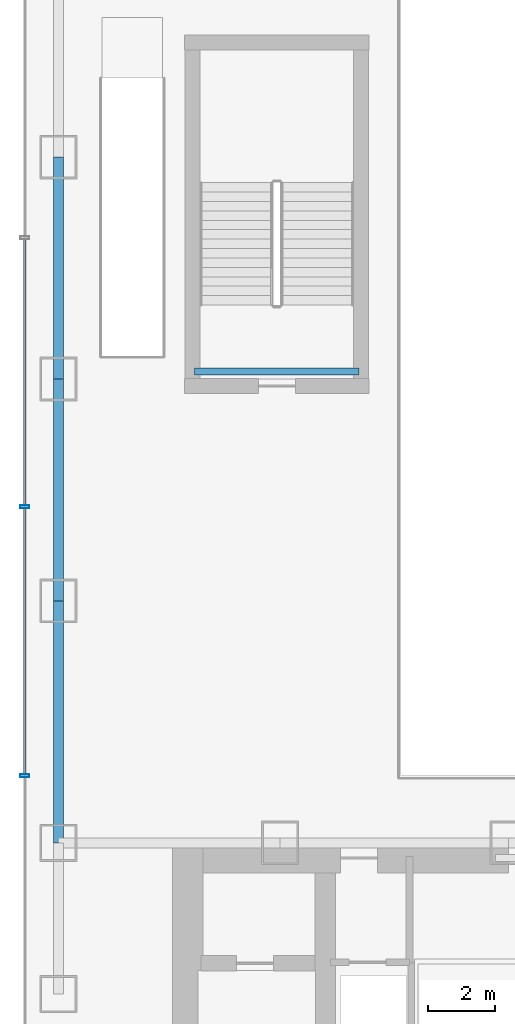
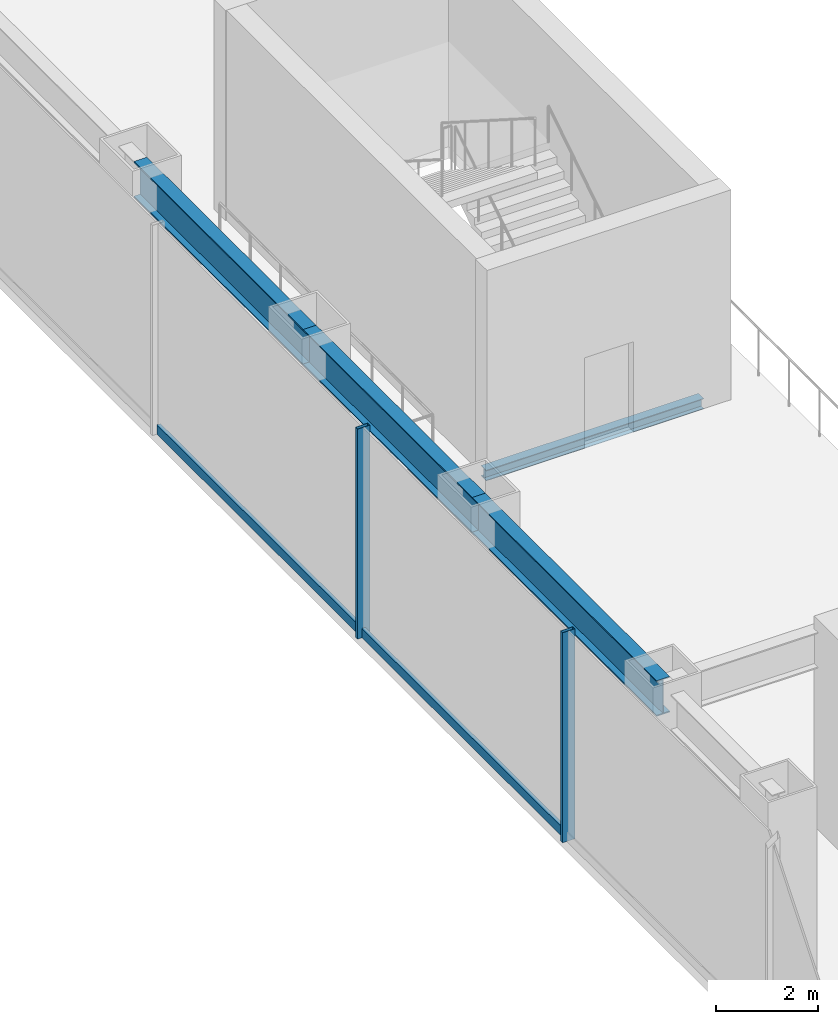
# One storey, part 8 of 39: 4 beams, 4 members, 1 element without a shape of its own.
"""IFC4 building model written with IfcOpenShell, lengths in metres."""

from ifc_helpers import new_model, si_unit, derived_unit, direction, frame, origin, origin_2d, place, context, subcontext, project, spatial, hollow_rectangle, i_section, extrude, source, transform, mapped, material, material_profile, profile_set, type_object, element, aggregate, save


model = new_model("IFC4")

# Units and contexts
model_context = context("Model", 3, precision=1e-05, world=origin(), true_north=direction((0.0, 1.0)))
body_context = subcontext(model_context, "Body", "Model", "MODEL_VIEW")
ifc_project = project(units=[si_unit("LENGTHUNIT", "METRE"), si_unit("AREAUNIT", "SQUARE_METRE"), si_unit("VOLUMEUNIT", "CUBIC_METRE"), si_unit("PLANEANGLEUNIT", "RADIAN"), si_unit("MASSUNIT", "GRAM", prefix="KILO"), derived_unit("THERMALTRANSMITTANCEUNIT", [(si_unit("POWERUNIT", "WATT"), 1), (si_unit("LENGTHUNIT", "METRE"), -2), (si_unit("THERMODYNAMICTEMPERATUREUNIT", "KELVIN"), -1)])], contexts=[model_context])

# Site, building, storey
site_placement = place(None, origin())
site = spatial("IfcSite", under=ifc_project, at=site_placement, CompositionType="ELEMENT")
building_placement = place(site_placement, origin())
building = spatial("IfcBuilding", under=site, at=building_placement, Name="Skarnbrae Concourse Arena and Tower", CompositionType="ELEMENT")
storey_placement = place(building_placement, frame((0.0, 0.0, 11.0)))
storey = spatial("IfcBuildingStorey", under=building, at=storey_placement, Name="L02", CompositionType="ELEMENT", Elevation=11.0)

# Beams
ifc_material_1 = material(Name="Steel CSA G40.21 350W", Category="steel")
ifc_material_profile_1 = material_profile(ifc_material_1, i_section(OverallWidth=0.2939453125, OverallDepth=0.85107421875, WebThickness=0.01611328125, FlangeThickness=0.02685546875, at=origin_2d()), Name="W840X226")
ifc_profile_set_1 = profile_set([ifc_material_profile_1], Name="Steel CSA G40.21 350W")
beam_type_1 = type_object("IfcBeamType", Name="BM-GIRD-W840X226", PredefinedType="BEAM", material=ifc_profile_set_1)
shared_shape_1 = source(origin(), body_context, "Body", "SweptSolid", [
    extrude(i_section(OverallWidth=0.2939453125, OverallDepth=0.85107421875, WebThickness=0.01611328125, FlangeThickness=0.02685546875, at=origin_2d()), origin(), (0.0, 0.0, 1.0), 6.60009765625),
])
beam_1_placement = place(storey_placement, frame((1.0, 21.199951171875, 4.2744140625), z_axis=(0.0, 1.0, 0.0), x_axis=(-1.0, 0.0, 0.0)))
element("IfcBeam", 1, at=beam_1_placement, inside=storey, type_object=beam_type_1, Name="L02 Podium west girder 3", PredefinedType="BEAM", context=body_context, shape_type="MappedRepresentation", body=[
    mapped(shared_shape_1, transform((0.0, 0.0, 0.0))),
])
shared_shape_2 = source(origin(), body_context, "Body", "SweptSolid", [
    extrude(i_section(OverallWidth=0.2939453125, OverallDepth=0.85107421875, WebThickness=0.01611328125, FlangeThickness=0.02685546875, at=origin_2d()), origin(), (0.0, 0.0, 1.0), 7.199951171875),
])
beam_2_placement = place(storey_placement, frame((1.0, 14.0, 4.2744140625), z_axis=(0.0, 1.0, 0.0), x_axis=(-1.0, 0.0, 0.0)))
element("IfcBeam", 2, at=beam_2_placement, inside=storey, type_object=beam_type_1, Name="L02 Podium west girder 2", PredefinedType="BEAM", context=body_context, shape_type="MappedRepresentation", body=[
    mapped(shared_shape_2, transform((0.0, 0.0, 0.0))),
])
shared_shape_3 = source(origin(), body_context, "Body", "SweptSolid", [
    extrude(i_section(OverallWidth=0.2939453125, OverallDepth=0.85107421875, WebThickness=0.01611328125, FlangeThickness=0.02685546875, at=origin_2d()), origin(), (0.0, 0.0, 1.0), 6.599853515625),
])
beam_3_placement = place(storey_placement, frame((1.0, 27.800048828125, 4.2744140625), z_axis=(0.0, 1.0, 0.0), x_axis=(-1.0, 0.0, 0.0)))
element("IfcBeam", 3, at=beam_3_placement, inside=storey, type_object=beam_type_1, Name="L02 Podium west girder 4", PredefinedType="BEAM", context=body_context, shape_type="MappedRepresentation", body=[
    mapped(shared_shape_3, transform((0.0, 0.0, 0.0))),
])

# Curtain wall, members
ifc_material_2 = material(Name="Bronze anodised aluminium 6063-T6", Category="aluminium")
curtain_wall_type = type_object("IfcCurtainWallType", Name="CW-SYS-01-PODIUM", PredefinedType="USERDEFINED", material=ifc_material_2)
curtain_wall_placement = place(storey_placement, origin())
curtain_wall = element("IfcCurtainWall", 4, at=curtain_wall_placement, inside=storey, type_object=curtain_wall_type, Name="L02 Unitised curtain wall CW-L02-W", ObjectType="UNITISED CURTAIN WALL", PredefinedType="USERDEFINED")
ifc_material_profile_2 = material_profile(ifc_material_2, hollow_rectangle(XDim=0.0849609375, YDim=0.280029296875, WallThickness=0.006103515625, at=origin_2d()), Name="ALU-MULL-85X280")
ifc_profile_set_2 = profile_set([ifc_material_profile_2], Name="Bronze anodised aluminium 6063-T6")
member_type_1 = type_object("IfcMemberType", Name="CWM-CW-01", PredefinedType="MULLION", material=ifc_profile_set_2)
shared_shape_4 = source(origin(), body_context, "Body", "SweptSolid", [
    extrude(hollow_rectangle(XDim=0.0849609375, YDim=0.280029296875, WallThickness=0.006103515625, at=origin_2d()), origin(), (0.0, 0.0, 1.0), 5.0),
])
member_1_placement = place(storey_placement, frame((0.0, 24.0, 0.0), z_axis=(0.0, 0.0, 1.0), x_axis=(0.0, -1.0, 0.0)))
member_1 = element("IfcMember", 5, at=member_1_placement, type_object=member_type_1, Name="CW-L02-W Mullion 5", PredefinedType="MULLION", context=body_context, shape_type="MappedRepresentation", body=[
    mapped(shared_shape_4, transform((0.0, 0.0, 0.0))),
])
member_2_placement = place(storey_placement, frame((0.0, 16.0, 0.0), z_axis=(0.0, 0.0, 1.0), x_axis=(0.0, -1.0, 0.0)))
member_2 = element("IfcMember", 6, at=member_2_placement, type_object=member_type_1, Name="CW-L02-W Mullion 6", PredefinedType="MULLION", context=body_context, shape_type="MappedRepresentation", body=[
    mapped(shared_shape_4, transform((0.0, 0.0, 0.0))),
])
ifc_material_profile_3 = material_profile(ifc_material_2, hollow_rectangle(XDim=0.0849609375, YDim=0.219970703125, WallThickness=0.006103515625, at=origin_2d()), Name="ALU-TRAN-85X220")
ifc_profile_set_3 = profile_set([ifc_material_profile_3], Name="Bronze anodised aluminium 6063-T6")
member_type_2 = type_object("IfcMemberType", Name="CWT-CW-01", PredefinedType="USERDEFINED", material=ifc_profile_set_3)
shared_shape_5 = source(origin(), body_context, "Body", "SweptSolid", [
    extrude(hollow_rectangle(XDim=0.0849609375, YDim=0.219970703125, WallThickness=0.006103515625, at=origin_2d()), origin(), (0.0, 0.0, 1.0), 7.9150390625),
])
member_3_placement = place(storey_placement, frame((0.0, 31.95751953125, 0.110107421875), z_axis=(0.0, -1.0, 0.0), x_axis=(1.0, 0.0, 0.0)))
member_3 = element("IfcMember", 7, at=member_3_placement, type_object=member_type_2, Name="CW-L02-W Transom 4", ObjectType="TRANSOM", PredefinedType="USERDEFINED", context=body_context, shape_type="MappedRepresentation", body=[
    mapped(shared_shape_5, transform((0.0, 0.0, 0.0))),
])
member_4_placement = place(storey_placement, frame((0.0, 23.95751953125, 0.110107421875), z_axis=(0.0, -1.0, 0.0), x_axis=(1.0, 0.0, 0.0)))
member_4 = element("IfcMember", 8, at=member_4_placement, type_object=member_type_2, Name="CW-L02-W Transom 5", ObjectType="TRANSOM", PredefinedType="USERDEFINED", context=body_context, shape_type="MappedRepresentation", body=[
    mapped(shared_shape_5, transform((0.0, 0.0, 0.0))),
])
aggregate(curtain_wall, [member_1, member_2, member_3, member_4])

# Beam
ifc_material_profile_4 = material_profile(ifc_material_1, i_section(OverallWidth=0.202880859375, OverallDepth=0.251953125, WebThickness=0.008056640625, FlangeThickness=0.013427734375, at=origin_2d()), Name="W250X58")
ifc_profile_set_4 = profile_set([ifc_material_profile_4], Name="Steel CSA G40.21 350W")
beam_type_2 = type_object("IfcBeamType", Name="BM-LINTEL-W250X58", PredefinedType="LINTEL", material=ifc_profile_set_4)
shared_shape_6 = source(origin(), body_context, "Body", "SweptSolid", [
    extrude(i_section(OverallWidth=0.202880859375, OverallDepth=0.251953125, WebThickness=0.008056640625, FlangeThickness=0.013427734375, at=origin_2d()), origin(), (0.0, 0.0, 1.0), 4.89990234375),
])
beam_4_placement = place(storey_placement, frame((9.949951171875, 28.02001953125, -0.325927734375), z_axis=(-1.0, 0.0, 0.0), x_axis=(0.0, -1.0, 0.0)))
element("IfcBeam", 9, at=beam_4_placement, inside=storey, type_object=beam_type_2, Name="L02 Stair ST-A3 near landing soffit beam", PredefinedType="LINTEL", context=body_context, shape_type="MappedRepresentation", body=[
    mapped(shared_shape_6, transform((0.0, 0.0, 0.0))),
])

save(model, "model.ifc")
